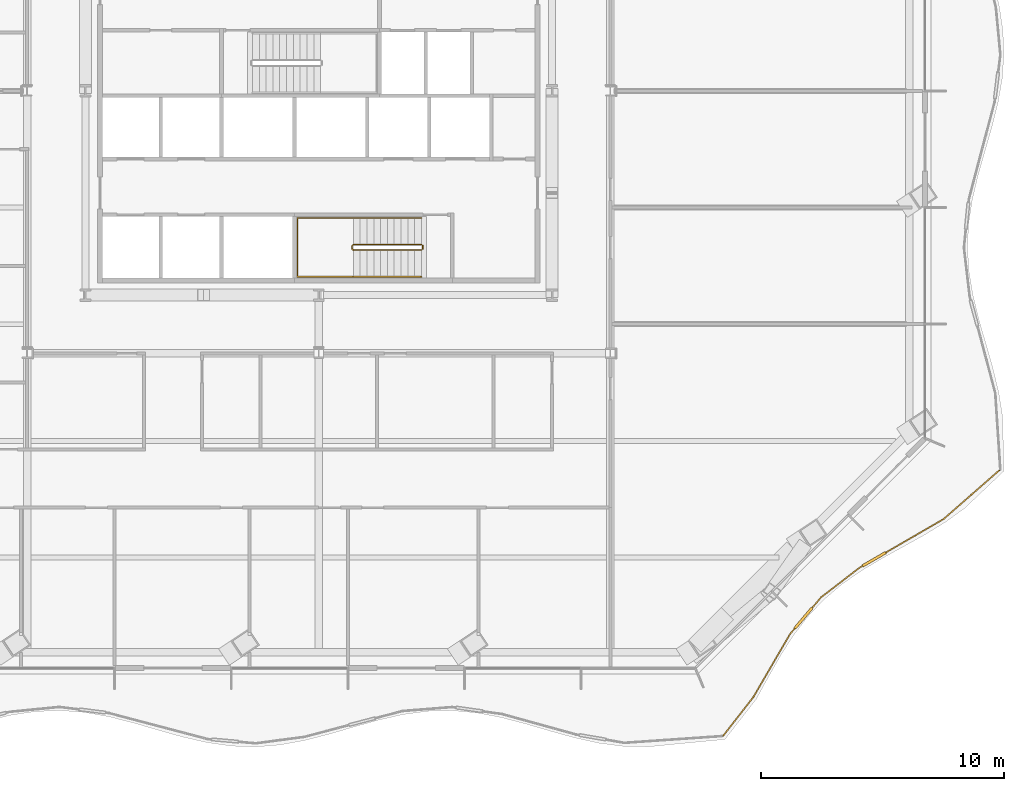
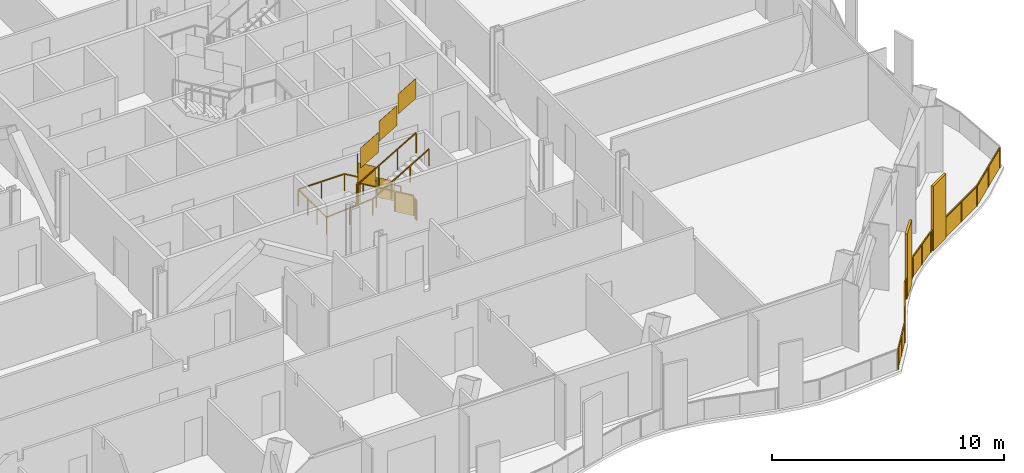
# One storey, part 16 of 20: 4 railings.
"""IFC4 building model written with IfcOpenShell, lengths in metres."""

from ifc_helpers import new_model, si_unit, direction, frame, origin, origin_2d, place, context, subcontext, project, spatial, polyline, rectangle, outline, extrude, material, type_object, element, save


model = new_model("IFC4")

# Units and contexts
model_context = context("Model", 3, precision=1e-05, world=origin(), true_north=direction((0.0, 1.0)))
body_context = subcontext(model_context, "Body", "Model", "MODEL_VIEW")
ifc_project = project(units=[si_unit("LENGTHUNIT", "METRE"), si_unit("AREAUNIT", "SQUARE_METRE"), si_unit("VOLUMEUNIT", "CUBIC_METRE"), si_unit("PLANEANGLEUNIT", "RADIAN"), si_unit("MASSUNIT", "GRAM", prefix="KILO")], contexts=[model_context])

# Site, building, storey
site_placement = place(None, origin())
site = spatial("IfcSite", under=ifc_project, at=site_placement, CompositionType="ELEMENT")
building_placement = place(site_placement, origin())
building = spatial("IfcBuilding", under=site, at=building_placement, Name="Cairn Pilgrim Tower", CompositionType="ELEMENT")
storey_placement = place(building_placement, frame((0.0, 0.0, 101.39990234375)))
storey = spatial("IfcBuildingStorey", under=building, at=storey_placement, Name="L24", CompositionType="ELEMENT", Elevation=101.39990234375)

# Railings
ifc_material_1 = material(Name="Bronze anodised aluminium rail, posts and fin screens with laminated glass infill", Category="aluminium")
railing_type_1 = type_object("IfcRailingType", Name="BALCONY GUARD WITH FIN SCREENS", PredefinedType="GUARDRAIL", material=ifc_material_1)
railing_1_placement = place(storey_placement, frame((23.83740234375, -24.145751953125, 0.0)))
element("IfcRailing", 1, at=railing_1_placement, inside=storey, type_object=railing_type_1, Name="Balcony guard BGF-2 with fin screens", PredefinedType="GUARDRAIL", context=body_context, shape_type="SweptSolid", body=[
    extrude(rectangle(XDim=0.050048828125, YDim=0.050048828125, at=origin_2d()), frame((0.0, 0.0, 1.0751953125), z_axis=(0.615259879786, 0.788324349698, 0.0), x_axis=(-0.788324349698, 0.615259879786, 0.0)), (0.0, 0.0, 1.0), 2.02294921875),
    extrude(rectangle(XDim=0.050048828125, YDim=0.050048828125, at=origin_2d()), frame((1.24462890625, 1.5947265625, 1.0751953125), z_axis=(0.502983851296, 0.864295808931, 0.0), x_axis=(-0.864295808931, 0.502983851296, 0.0)), (0.0, 0.0, 1.0), 3.01220703125),
    extrude(rectangle(XDim=1.10009765625, YDim=0.110107421875, at=origin_2d()), frame((3.309326171875, 4.84814453125, 0.0), z_axis=(0.0, 0.0, 1.0), x_axis=(0.645687333372, 0.763601903823, 0.0)), (0.0, 0.0, 1.0), 3.39990234375),
    extrude(rectangle(XDim=0.050048828125, YDim=0.050048828125, at=origin_2d()), frame((2.759765625, 4.1982421875, 1.0751953125), z_axis=(0.645687333372, 0.763601903823, 0.0), x_axis=(-0.763601903823, 0.645687333372, 0.0)), (0.0, 0.0, 1.0), 0.30126953125),
    extrude(rectangle(XDim=0.050048828125, YDim=0.050048828125, at=origin_2d()), frame((3.66455078125, 5.26806640625, 1.0751953125), z_axis=(0.645687333372, 0.763601903823, 0.0), x_axis=(-0.763601903823, 0.645687333372, 0.0)), (0.0, 0.0, 1.0), 0.573974609375),
    extrude(rectangle(XDim=0.050048828125, YDim=0.050048828125, at=origin_2d()), frame((4.03515625, 5.70654296875, 1.0751953125), z_axis=(0.792005232471, 0.61051430101, 0.0), x_axis=(-0.61051430101, 0.792005232471, 0.0)), (0.0, 0.0, 1.0), 1.9814453125),
    extrude(rectangle(XDim=1.10009765625, YDim=0.110107421875, at=origin_2d()), frame((6.21875, 7.27197265625, 0.0), z_axis=(0.0, 0.0, 1.0), x_axis=(0.865404053156, 0.501074669866, 0.0)), (0.0, 0.0, 1.0), 3.39990234375),
    extrude(rectangle(XDim=0.050048828125, YDim=0.050048828125, at=origin_2d()), frame((5.6044921875, 6.916259765625, 1.0751953125), z_axis=(0.865404053156, 0.501074669866, 0.0), x_axis=(-0.501074669866, 0.865404053156, 0.0)), (0.0, 0.0, 1.0), 0.15966796875),
    extrude(rectangle(XDim=0.050048828125, YDim=0.050048828125, at=origin_2d()), frame((6.694580078125, 7.547607421875, 1.0751953125), z_axis=(0.865404053156, 0.501074669866, 0.0), x_axis=(-0.501074669866, 0.865404053156, 0.0)), (0.0, 0.0, 1.0), 2.750244140625),
    extrude(rectangle(XDim=0.050048828125, YDim=0.050048828125, at=origin_2d()), frame((9.07470703125, 8.925537109375, 1.0751953125), z_axis=(0.75255679741, 0.658527346944, 0.0), x_axis=(-0.658527346944, 0.75255679741, 0.0)), (0.0, 0.0, 1.0), 3.04052734375),
    extrude(rectangle(XDim=0.050048828125, YDim=0.050048828125, at=origin_2d()), origin(), (0.0, 0.0, 1.0), 1.050048828125),
    extrude(rectangle(XDim=0.050048828125, YDim=0.050048828125, at=origin_2d()), frame((0.622314453125, 0.79736328125, 0.0)), (0.0, 0.0, 1.0), 1.050048828125),
    extrude(rectangle(XDim=0.050048828125, YDim=0.050048828125, at=origin_2d()), frame((1.24462890625, 1.5947265625, 0.0)), (0.0, 0.0, 1.0), 1.050048828125),
    extrude(rectangle(XDim=0.050048828125, YDim=0.050048828125, at=origin_2d()), frame((2.002197265625, 2.896484375, 0.0)), (0.0, 0.0, 1.0), 1.050048828125),
    extrude(rectangle(XDim=0.050048828125, YDim=0.050048828125, at=origin_2d()), frame((2.759765625, 4.1982421875, 0.0)), (0.0, 0.0, 1.0), 1.050048828125),
    extrude(rectangle(XDim=0.050048828125, YDim=0.050048828125, at=origin_2d()), frame((2.93798828125, 4.4091796875, 0.0)), (0.0, 0.0, 1.0), 1.050048828125),
    extrude(rectangle(XDim=0.050048828125, YDim=0.050048828125, at=origin_2d()), frame((3.6806640625, 5.287353515625, 0.0)), (0.0, 0.0, 1.0), 1.050048828125),
    extrude(rectangle(XDim=0.050048828125, YDim=0.050048828125, at=origin_2d()), frame((4.03515625, 5.70654296875, 0.0)), (0.0, 0.0, 1.0), 1.050048828125),
    extrude(rectangle(XDim=0.050048828125, YDim=0.050048828125, at=origin_2d()), frame((4.81982421875, 6.3115234375, 0.0)), (0.0, 0.0, 1.0), 1.050048828125),
    extrude(rectangle(XDim=0.050048828125, YDim=0.050048828125, at=origin_2d()), frame((5.6044921875, 6.916259765625, 0.0)), (0.0, 0.0, 1.0), 1.050048828125),
    extrude(rectangle(XDim=0.050048828125, YDim=0.050048828125, at=origin_2d()), frame((5.72119140625, 6.98388671875, 0.0)), (0.0, 0.0, 1.0), 1.050048828125),
    extrude(rectangle(XDim=0.050048828125, YDim=0.050048828125, at=origin_2d()), frame((6.71630859375, 7.56005859375, 0.0)), (0.0, 0.0, 1.0), 1.050048828125),
    extrude(rectangle(XDim=0.050048828125, YDim=0.050048828125, at=origin_2d()), frame((7.8955078125, 8.24267578125, 0.0)), (0.0, 0.0, 1.0), 1.050048828125),
    extrude(rectangle(XDim=0.050048828125, YDim=0.050048828125, at=origin_2d()), frame((9.07470703125, 8.925537109375, 0.0)), (0.0, 0.0, 1.0), 1.050048828125),
    extrude(rectangle(XDim=0.050048828125, YDim=0.050048828125, at=origin_2d()), frame((10.21875, 9.9267578125, 0.0)), (0.0, 0.0, 1.0), 1.050048828125),
    extrude(rectangle(XDim=0.050048828125, YDim=0.050048828125, at=origin_2d()), frame((11.36279296875, 10.927734375, 0.0)), (0.0, 0.0, 1.0), 1.050048828125),
    extrude(outline(polyline([(0.02490234375, 0.0), (0.986328125, 0.0), (0.986328125, 1.050048828125), (0.02490234375, 1.050048828125), (0.02490234375, 0.0)])), frame((-0.004638671875, 0.003662109375, 0.0), z_axis=(0.788324349698, -0.615259879786, 0.0), x_axis=(0.615259879786, 0.788324349698, 0.0)), (0.0, 0.0, 1.0), 0.011962890625),
    extrude(outline(polyline([(0.02490234375, 0.0), (0.986328125, 0.0), (0.986328125, 1.050048828125), (0.02490234375, 1.050048828125), (0.02490234375, 0.0)])), frame((0.61767578125, 0.801025390625, 0.0), z_axis=(0.788324349698, -0.615259879786, 0.0), x_axis=(0.615259879786, 0.788324349698, 0.0)), (0.0, 0.0, 1.0), 0.011962890625),
    extrude(outline(polyline([(0.02490234375, 0.0), (1.481201171875, 0.0), (1.481201171875, 1.050048828125), (0.02490234375, 1.050048828125), (0.02490234375, 0.0)])), frame((1.239501953125, 1.59765625, 0.0), z_axis=(0.864295808931, -0.502983851296, 0.0), x_axis=(0.502983851296, 0.864295808931, 0.0)), (0.0, 0.0, 1.0), 0.011962890625),
    extrude(outline(polyline([(0.02490234375, 0.0), (1.481201171875, 0.0), (1.481201171875, 1.050048828125), (0.02490234375, 1.050048828125), (0.02490234375, 0.0)])), frame((1.9970703125, 2.8994140625, 0.0), z_axis=(0.864295808931, -0.502983851296, 0.0), x_axis=(0.502983851296, 0.864295808931, 0.0)), (0.0, 0.0, 1.0), 0.011962890625),
    extrude(outline(polyline([(0.02490234375, 0.0), (0.251220703125, 0.0), (0.251220703125, 1.050048828125), (0.02490234375, 1.050048828125), (0.02490234375, 0.0)])), frame((2.755126953125, 4.2021484375, 0.0), z_axis=(0.763601903823, -0.645687333372, 0.0), x_axis=(0.645687333372, 0.763601903823, 0.0)), (0.0, 0.0, 1.0), 0.011962890625),
    extrude(outline(polyline([(0.02490234375, 0.0), (0.52392578125, 0.0), (0.52392578125, 1.050048828125), (0.02490234375, 1.050048828125), (0.02490234375, 0.0)])), frame((3.676025390625, 5.291259765625, 0.0), z_axis=(0.763601903823, -0.645687333372, 0.0), x_axis=(0.645687333372, 0.763601903823, 0.0)), (0.0, 0.0, 1.0), 0.011962890625),
    extrude(outline(polyline([(0.02490234375, 0.0), (0.9658203125, 0.0), (0.9658203125, 1.050048828125), (0.02490234375, 1.050048828125), (0.02490234375, 0.0)])), frame((4.031494140625, 5.711181640625, 0.0), z_axis=(0.61051430101, -0.792005232471, 0.0), x_axis=(0.792005232471, 0.61051430101, 0.0)), (0.0, 0.0, 1.0), 0.011962890625),
    extrude(outline(polyline([(0.02490234375, 0.0), (0.9658203125, 0.0), (0.9658203125, 1.050048828125), (0.02490234375, 1.050048828125), (0.02490234375, 0.0)])), frame((4.816162109375, 6.316162109375, 0.0), z_axis=(0.61051430101, -0.792005232471, 0.0), x_axis=(0.792005232471, 0.61051430101, 0.0)), (0.0, 0.0, 1.0), 0.011962890625),
    extrude(outline(polyline([(0.02490234375, 0.0), (0.109619140625, 0.0), (0.109619140625, 1.050048828125), (0.02490234375, 1.050048828125), (0.02490234375, 0.0)])), frame((5.6015625, 6.92138671875, 0.0), z_axis=(0.501074669866, -0.865404053156, 0.0), x_axis=(0.865404053156, 0.501074669866, 0.0)), (0.0, 0.0, 1.0), 0.011962890625),
    extrude(outline(polyline([(0.02490234375, 0.0), (1.337646484375, 0.0), (1.337646484375, 1.050048828125), (0.02490234375, 1.050048828125), (0.02490234375, 0.0)])), frame((6.71337890625, 7.565185546875, 0.0), z_axis=(0.501074669866, -0.865404053156, 0.0), x_axis=(0.865404053156, 0.501074669866, 0.0)), (0.0, 0.0, 1.0), 0.011962890625),
    extrude(outline(polyline([(0.02490234375, 0.0), (1.337646484375, 0.0), (1.337646484375, 1.050048828125), (0.02490234375, 1.050048828125), (0.02490234375, 0.0)])), frame((7.892578125, 8.248046875, 0.0), z_axis=(0.501074669866, -0.865404053156, 0.0), x_axis=(0.865404053156, 0.501074669866, 0.0)), (0.0, 0.0, 1.0), 0.011962890625),
    extrude(outline(polyline([(0.02490234375, 0.0), (1.4951171875, 0.0), (1.4951171875, 1.050048828125), (0.02490234375, 1.050048828125), (0.02490234375, 0.0)])), frame((9.07080078125, 8.929931640625, 0.0), z_axis=(0.658527346944, -0.75255679741, 0.0), x_axis=(0.75255679741, 0.658527346944, 0.0)), (0.0, 0.0, 1.0), 0.011962890625),
    extrude(outline(polyline([(0.02490234375, 0.0), (1.4951171875, 0.0), (1.4951171875, 1.050048828125), (0.02490234375, 1.050048828125), (0.02490234375, 0.0)])), frame((10.21484375, 9.93115234375, 0.0), z_axis=(0.658527346944, -0.75255679741, 0.0), x_axis=(0.75255679741, 0.658527346944, 0.0)), (0.0, 0.0, 1.0), 0.011962890625),
])
ifc_material_2 = material(Name="Painted steel", Category="steel")
railing_type_2 = type_object("IfcRailingType", Name="STAIR GUARD 1100", PredefinedType="GUARDRAIL", material=ifc_material_2)
railing_2_placement = place(storey_placement, frame((11.425048828125, -3.925048828125, 0.163818359375)))
element("IfcRailing", 2, at=railing_2_placement, inside=storey, type_object=railing_type_2, Name="L24 ST-A stair guard 1", PredefinedType="GUARDRAIL", context=body_context, shape_type="SweptSolid", body=[
    extrude(rectangle(XDim=0.048095703125, YDim=0.048095703125, at=origin_2d()), frame((0.0, 0.0, 1.076171875), z_axis=(-0.863393664356, 0.0, 0.504530851732), x_axis=(0.0, -1.0, 0.0)), (0.0, 0.0, 1.0), 3.2431640625),
    extrude(rectangle(XDim=0.048095703125, YDim=0.048095703125, at=origin_2d()), frame((-2.800048828125, 0.0, 2.71240234375), z_axis=(-0.707106781187, -0.707106781187, 0.0), x_axis=(0.707106781187, -0.707106781187, 0.0)), (0.0, 0.0, 1.0), 0.07080078125),
    extrude(rectangle(XDim=0.048095703125, YDim=0.048095703125, at=origin_2d()), frame((-2.85009765625, -0.050048828125, 2.71240234375), z_axis=(0.0, -1.0, 0.0), x_axis=(1.0, 0.0, 0.0)), (0.0, 0.0, 1.0), 0.125),
    extrude(rectangle(XDim=0.048095703125, YDim=0.048095703125, at=origin_2d()), frame((-2.85009765625, -0.175048828125, 2.71240234375), z_axis=(0.280916556609, -0.279546231943, 0.91811752648), x_axis=(0.705375805398, 0.708833529934, 0.0)), (0.0, 0.0, 1.0), 0.17822265625),
    extrude(rectangle(XDim=0.048095703125, YDim=0.048095703125, at=origin_2d()), frame((-2.800048828125, -0.224853515625, 2.8759765625), z_axis=(0.863360870873, 0.0, 0.504586966384), x_axis=(0.0, 1.0, 0.0)), (0.0, 0.0, 1.0), 3.2431640625),
    extrude(rectangle(XDim=0.0419921875, YDim=0.0419921875, at=origin_2d()), origin(), (0.0, 0.0, 1.0), 1.052001953125),
    extrude(rectangle(XDim=0.0419921875, YDim=0.0419921875, at=origin_2d()), frame((-0.933349609375, 0.0, 0.54541015625)), (0.0, 0.0, 1.0), 1.052001953125),
    extrude(rectangle(XDim=0.0419921875, YDim=0.0419921875, at=origin_2d()), frame((-1.86669921875, 0.0, 1.0908203125)), (0.0, 0.0, 1.0), 1.052001953125),
    extrude(rectangle(XDim=0.0419921875, YDim=0.0419921875, at=origin_2d()), frame((-2.800048828125, 0.0, 1.63623046875)), (0.0, 0.0, 1.0), 1.052001953125),
    extrude(rectangle(XDim=0.0419921875, YDim=0.0419921875, at=origin_2d()), frame((-2.85009765625, -0.050048828125, 1.63623046875)), (0.0, 0.0, 1.0), 1.052001953125),
    extrude(rectangle(XDim=0.0419921875, YDim=0.0419921875, at=origin_2d()), frame((-2.85009765625, -0.175048828125, 1.63623046875)), (0.0, 0.0, 1.0), 1.052001953125),
    extrude(rectangle(XDim=0.0419921875, YDim=0.0419921875, at=origin_2d()), frame((-2.800048828125, -0.224853515625, 1.7998046875)), (0.0, 0.0, 1.0), 1.052001953125),
    extrude(rectangle(XDim=0.0419921875, YDim=0.0419921875, at=origin_2d()), frame((-1.86669921875, -0.224853515625, 2.34521484375)), (0.0, 0.0, 1.0), 1.052001953125),
    extrude(rectangle(XDim=0.0419921875, YDim=0.0419921875, at=origin_2d()), frame((-0.933349609375, -0.224853515625, 2.890869140625)), (0.0, 0.0, 1.0), 1.052001953125),
    extrude(rectangle(XDim=0.0419921875, YDim=0.0419921875, at=origin_2d()), frame((0.0, -0.224853515625, 3.436279296875)), (0.0, 0.0, 1.0), 1.052001953125),
    extrude(outline(polyline([(0.02099609375, 0.01220703125), (0.912353515625, 0.533203125), (0.912353515625, 1.585205078125), (0.02099609375, 1.064208984375), (0.02099609375, 0.01220703125)])), frame((0.0, -0.005859375, 0.0), z_axis=(0.0, 1.0, 0.0), x_axis=(-1.0, 0.0, 0.0)), (0.0, 0.0, 1.0), 0.011962890625),
    extrude(outline(polyline([(0.02099609375, 0.5576171875), (0.912353515625, 1.07861328125), (0.912353515625, 2.130615234375), (0.02099609375, 1.609619140625), (0.02099609375, 0.5576171875)])), frame((-0.933349609375, -0.005859375, 0.54541015625), z_axis=(0.0, 1.0, 0.0), x_axis=(-1.0, 0.0, 0.0)), (0.0, 0.0, 1.0), 0.011962890625),
    extrude(outline(polyline([(0.02099609375, 1.10302734375), (0.912353515625, 1.6240234375), (0.912353515625, 2.676025390625), (0.02099609375, 2.155029296875), (0.02099609375, 1.10302734375)])), frame((-1.86669921875, -0.005859375, 1.0908203125), z_axis=(0.0, 1.0, 0.0), x_axis=(-1.0, 0.0, 0.0)), (0.0, 0.0, 1.0), 0.011962890625),
    extrude(outline(polyline([(0.02099609375, 1.63623046875), (0.10400390625, 1.63623046875), (0.10400390625, 2.688232421875), (0.02099609375, 2.688232421875), (0.02099609375, 1.63623046875)])), frame((-2.84423828125, -0.050048828125, 1.63623046875), z_axis=(-1.0, 0.0, 0.0), x_axis=(0.0, -1.0, 0.0)), (0.0, 0.0, 1.0), 0.011962890625),
    extrude(outline(polyline([(0.02099609375, 1.81201171875), (0.912353515625, 2.3330078125), (0.912353515625, 3.385009765625), (0.02099609375, 2.864013671875), (0.02099609375, 1.81201171875)])), frame((-2.800048828125, -0.21875, 1.7998046875), z_axis=(0.0, -1.0, 0.0), x_axis=(1.0, 0.0, 0.0)), (0.0, 0.0, 1.0), 0.011962890625),
    extrude(outline(polyline([(0.02099609375, 2.357666015625), (0.912353515625, 2.87841796875), (0.912353515625, 3.930419921875), (0.02099609375, 3.40966796875), (0.02099609375, 2.357666015625)])), frame((-1.86669921875, -0.21875, 2.34521484375), z_axis=(0.0, -1.0, 0.0), x_axis=(1.0, 0.0, 0.0)), (0.0, 0.0, 1.0), 0.011962890625),
    extrude(outline(polyline([(0.02099609375, 2.903076171875), (0.912353515625, 3.424072265625), (0.912353515625, 4.47607421875), (0.02099609375, 3.955078125), (0.02099609375, 2.903076171875)])), frame((-0.933349609375, -0.21875, 2.890869140625), z_axis=(0.0, -1.0, 0.0), x_axis=(1.0, 0.0, 0.0)), (0.0, 0.0, 1.0), 0.011962890625),
])
railing_3_placement = place(storey_placement, frame((11.47509765625, -3.97509765625, 0.0)))
element("IfcRailing", 3, at=railing_3_placement, inside=storey, type_object=railing_type_2, Name="L24 ST-A stair guard 2", PredefinedType="GUARDRAIL", context=body_context, shape_type="SweptSolid", body=[
    extrude(rectangle(XDim=0.048095703125, YDim=0.048095703125, at=origin_2d()), frame((0.0, 0.0, 1.076171875), z_axis=(0.0, -1.0, 0.0), x_axis=(1.0, 0.0, 0.0)), (0.0, 0.0, 1.0), 0.125),
    extrude(rectangle(XDim=0.0419921875, YDim=0.0419921875, at=origin_2d()), origin(), (0.0, 0.0, 1.0), 1.052001953125),
    extrude(rectangle(XDim=0.0419921875, YDim=0.0419921875, at=origin_2d()), frame((0.0, -0.125, 0.0)), (0.0, 0.0, 1.0), 1.052001953125),
    extrude(outline(polyline([(0.02099609375, 0.0), (0.10400390625, 0.0), (0.10400390625, 1.052001953125), (0.02099609375, 1.052001953125), (0.02099609375, 0.0)])), frame((0.005859375, 0.0, 0.0), z_axis=(-1.0, 0.0, 0.0), x_axis=(0.0, -1.0, 0.0)), (0.0, 0.0, 1.0), 0.011962890625),
])
railing_type_3 = type_object("IfcRailingType", Name="STAIR HANDRAIL 900", PredefinedType="HANDRAIL", material=ifc_material_2)
railing_4_placement = place(storey_placement, frame((11.425048828125, -2.824951171875, 0.163818359375)))
element("IfcRailing", 4, at=railing_4_placement, inside=storey, type_object=railing_type_3, Name="L24 ST-A stair handrail 1", PredefinedType="HANDRAIL", context=body_context, shape_type="SweptSolid", body=[
    extrude(rectangle(XDim=0.048095703125, YDim=0.048095703125, at=origin_2d()), frame((0.0, 0.0, 0.8759765625), z_axis=(-0.863393664356, 0.0, 0.504530851732), x_axis=(0.0, -1.0, 0.0)), (0.0, 0.0, 1.0), 3.2431640625),
    extrude(rectangle(XDim=0.048095703125, YDim=0.048095703125, at=origin_2d()), frame((-2.800048828125, 0.0, 2.51220703125), z_axis=(-1.0, 0.0, 0.0), x_axis=(0.0, -1.0, 0.0)), (0.0, 0.0, 1.0), 2.300048828125),
    extrude(rectangle(XDim=0.048095703125, YDim=0.048095703125, at=origin_2d()), frame((-5.10009765625, 0.0, 2.51220703125), z_axis=(0.0, -1.0, 0.0), x_axis=(1.0, 0.0, 0.0)), (0.0, 0.0, 1.0), 2.425048828125),
    extrude(rectangle(XDim=0.048095703125, YDim=0.048095703125, at=origin_2d()), frame((-5.10009765625, -2.425048828125, 2.51220703125), z_axis=(0.997480687736, 0.0, 0.070938548008), x_axis=(0.0, 1.0, 0.0)), (0.0, 0.0, 1.0), 2.305908203125),
    extrude(rectangle(XDim=0.048095703125, YDim=0.048095703125, at=origin_2d()), frame((-2.800048828125, -2.425048828125, 2.67578125), z_axis=(0.863360870873, 0.0, 0.504586966384), x_axis=(0.0, 1.0, 0.0)), (0.0, 0.0, 1.0), 3.2431640625),
    extrude(rectangle(XDim=0.0419921875, YDim=0.0419921875, at=origin_2d()), origin(), (0.0, 0.0, 1.0), 0.851806640625),
    extrude(rectangle(XDim=0.0419921875, YDim=0.0419921875, at=origin_2d()), frame((-0.933349609375, 0.0, 0.54541015625)), (0.0, 0.0, 1.0), 0.851806640625),
    extrude(rectangle(XDim=0.0419921875, YDim=0.0419921875, at=origin_2d()), frame((-1.86669921875, 0.0, 1.0908203125)), (0.0, 0.0, 1.0), 0.851806640625),
    extrude(rectangle(XDim=0.0419921875, YDim=0.0419921875, at=origin_2d()), frame((-2.800048828125, 0.0, 1.63623046875)), (0.0, 0.0, 1.0), 0.851806640625),
    extrude(rectangle(XDim=0.0419921875, YDim=0.0419921875, at=origin_2d()), frame((-3.9501953125, 0.0, 1.63623046875)), (0.0, 0.0, 1.0), 0.851806640625),
    extrude(rectangle(XDim=0.0419921875, YDim=0.0419921875, at=origin_2d()), frame((-5.10009765625, 0.0, 1.63623046875)), (0.0, 0.0, 1.0), 0.851806640625),
    extrude(rectangle(XDim=0.0419921875, YDim=0.0419921875, at=origin_2d()), frame((-5.10009765625, -0.808349609375, 1.63623046875)), (0.0, 0.0, 1.0), 0.851806640625),
    extrude(rectangle(XDim=0.0419921875, YDim=0.0419921875, at=origin_2d()), frame((-5.10009765625, -1.61669921875, 1.63623046875)), (0.0, 0.0, 1.0), 0.851806640625),
    extrude(rectangle(XDim=0.0419921875, YDim=0.0419921875, at=origin_2d()), frame((-5.10009765625, -2.425048828125, 1.63623046875)), (0.0, 0.0, 1.0), 0.851806640625),
    extrude(rectangle(XDim=0.0419921875, YDim=0.0419921875, at=origin_2d()), frame((-3.9501953125, -2.425048828125, 1.718017578125)), (0.0, 0.0, 1.0), 0.851806640625),
    extrude(rectangle(XDim=0.0419921875, YDim=0.0419921875, at=origin_2d()), frame((-2.800048828125, -2.425048828125, 1.7998046875)), (0.0, 0.0, 1.0), 0.851806640625),
    extrude(rectangle(XDim=0.0419921875, YDim=0.0419921875, at=origin_2d()), frame((-1.86669921875, -2.425048828125, 2.34521484375)), (0.0, 0.0, 1.0), 0.851806640625),
    extrude(rectangle(XDim=0.0419921875, YDim=0.0419921875, at=origin_2d()), frame((-0.933349609375, -2.425048828125, 2.890869140625)), (0.0, 0.0, 1.0), 0.851806640625),
    extrude(rectangle(XDim=0.0419921875, YDim=0.0419921875, at=origin_2d()), frame((0.0, -2.425048828125, 3.436279296875)), (0.0, 0.0, 1.0), 0.851806640625),
])

save(model, "model.ifc")
